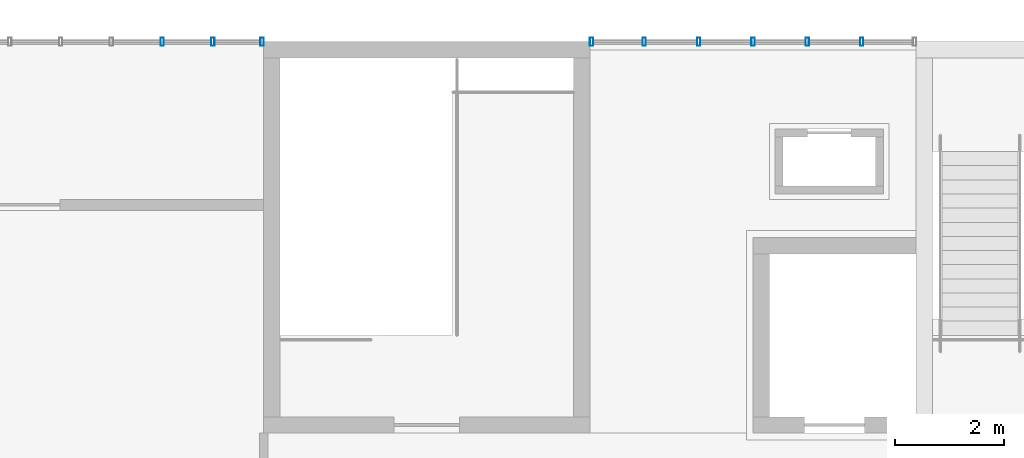
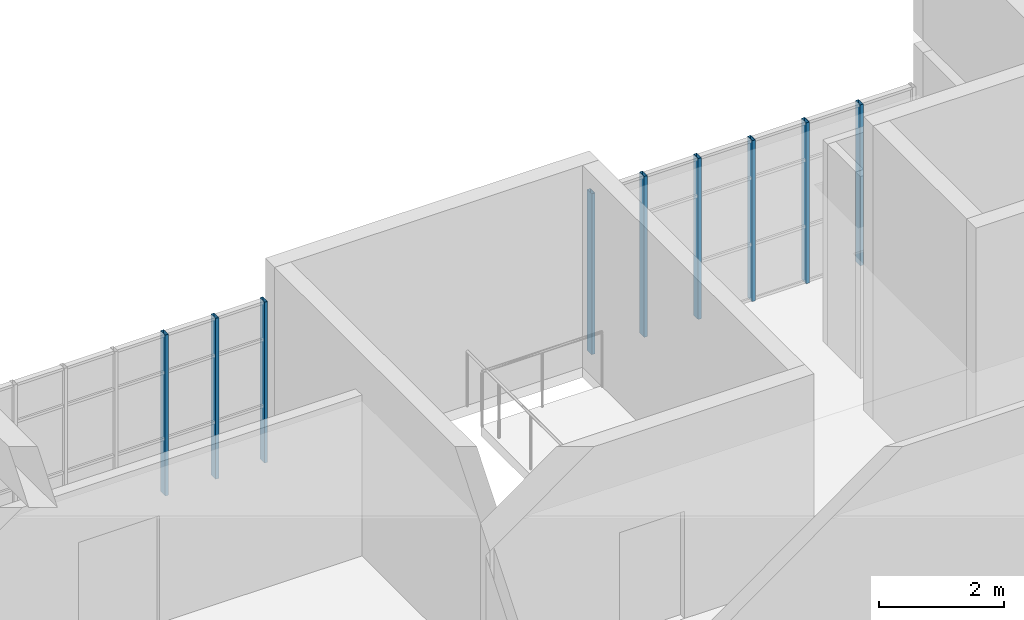
# One storey, part 25 of 51: 9 members, 2 elements without a shape of their own.
"""IFC4 building model written with IfcOpenShell, lengths in metres."""

from ifc_helpers import new_model, si_unit, direction, frame, origin, origin_2d, place, context, subcontext, project, spatial, hollow_rectangle, extrude, material, material_profile, profile_set, type_object, element, aggregate, save


model = new_model("IFC4")

# Units and contexts
model_context = context("Model", 3, precision=1e-05, world=origin(), true_north=direction((0.0, 1.0)))
body_context = subcontext(model_context, "Body", "Model", "MODEL_VIEW")
ifc_project = project(units=[si_unit("LENGTHUNIT", "METRE"), si_unit("AREAUNIT", "SQUARE_METRE"), si_unit("VOLUMEUNIT", "CUBIC_METRE"), si_unit("PLANEANGLEUNIT", "RADIAN"), si_unit("MASSUNIT", "GRAM", prefix="KILO")], contexts=[model_context])

# Site, building, storey
site_placement = place(None, origin())
site = spatial("IfcSite", under=ifc_project, at=site_placement, CompositionType="ELEMENT")
building_placement = place(site_placement, origin())
building = spatial("IfcBuilding", under=site, at=building_placement, Name="Laocheng Heights Fire and Rescue Headquarters", CompositionType="ELEMENT")
storey_placement = place(building_placement, frame((0.0, 0.0, 21.0)))
storey = spatial("IfcBuildingStorey", under=building, at=storey_placement, Name="L05", CompositionType="ELEMENT", Elevation=21.0)

# Curtain wall, members
ifc_material_1 = material(Name="Dark anodised aluminium unitised curtain wall, low-e double glazing", Category="aluminium")
curtain_wall_type_1 = type_object("IfcCurtainWallType", Name="CW 5600 x 3150 HQ NORTH GLAZING", PredefinedType="NOTDEFINED", material=ifc_material_1)
curtain_wall_1_placement = place(storey_placement, origin())
curtain_wall_1 = element("IfcCurtainWall", 1, at=curtain_wall_1_placement, inside=storey, type_object=curtain_wall_type_1, Name="X27-X HQ NORTH L05", PredefinedType="NOTDEFINED")
ifc_material_2 = material(Name="Dark anodised aluminium 6063-T5 extrusion", Category="aluminium")
ifc_material_profile = material_profile(ifc_material_2, hollow_rectangle(XDim=0.14990234375, YDim=0.06005859375, WallThickness=0.0029296875, at=origin_2d()), Name="AL MULLION 150x60x3 HQ NORTH GLAZING")
ifc_profile_set = profile_set([ifc_material_profile], Name="Dark anodised aluminium 6063-T5 extrusion")
member_type = type_object("IfcMemberType", Name="AL MULLION 150x60x3 HQ NORTH GLAZING", PredefinedType="MULLION", material=ifc_profile_set)
member_1_placement = place(storey_placement, frame((64.13330078125, 72.0, 0.0), z_axis=(0.0, 0.0, 1.0), x_axis=(0.0, 1.0, 0.0)))
member_1 = element("IfcMember", 2, at=member_1_placement, type_object=member_type, Name="X27-X mullion 5", PredefinedType="MULLION", context=body_context, shape_type="SweptSolid", body=[
    extrude(hollow_rectangle(XDim=0.14990234375, YDim=0.06005859375, WallThickness=0.0029296875, at=origin_2d()), origin(), (0.0, 0.0, 1.0), 3.14990234375),
])
member_2_placement = place(storey_placement, frame((65.066650390625, 72.0, 0.0), z_axis=(0.0, 0.0, 1.0), x_axis=(0.0, 1.0, 0.0)))
member_2 = element("IfcMember", 3, at=member_2_placement, type_object=member_type, Name="X27-X mullion 6", PredefinedType="MULLION", context=body_context, shape_type="SweptSolid", body=[
    extrude(hollow_rectangle(XDim=0.14990234375, YDim=0.06005859375, WallThickness=0.0029296875, at=origin_2d()), origin(), (0.0, 0.0, 1.0), 3.14990234375),
])
member_3_placement = place(storey_placement, frame((65.969970703125, 72.0, 0.0), z_axis=(0.0, 0.0, 1.0), x_axis=(0.0, 1.0, 0.0)))
member_3 = element("IfcMember", 4, at=member_3_placement, type_object=member_type, Name="X27-X mullion 7", PredefinedType="MULLION", context=body_context, shape_type="SweptSolid", body=[
    extrude(hollow_rectangle(XDim=0.14990234375, YDim=0.06005859375, WallThickness=0.0029296875, at=origin_2d()), origin(), (0.0, 0.0, 1.0), 3.14990234375),
])
aggregate(curtain_wall_1, [member_1, member_2, member_3])

ifc_material_3 = material(Name="Dark anodised aluminium unitised curtain wall, low-e double glazing", Category="aluminium")
curtain_wall_type_2 = type_object("IfcCurtainWallType", Name="CW 6000 x 3150 HQ NORTH GLAZING", PredefinedType="NOTDEFINED", material=ifc_material_3)
curtain_wall_2_placement = place(storey_placement, origin())
curtain_wall_2 = element("IfcCurtainWall", 5, at=curtain_wall_2_placement, inside=storey, type_object=curtain_wall_type_2, Name="X28-X HQ NORTH L05", PredefinedType="NOTDEFINED")
member_4_placement = place(storey_placement, frame((72.030029296875, 72.0, 0.0), z_axis=(0.0, 0.0, 1.0), x_axis=(0.0, 1.0, 0.0)))
member_4 = element("IfcMember", 6, at=member_4_placement, type_object=member_type, Name="X28-X mullion 1", PredefinedType="MULLION", context=body_context, shape_type="SweptSolid", body=[
    extrude(hollow_rectangle(XDim=0.14990234375, YDim=0.06005859375, WallThickness=0.0029296875, at=origin_2d()), origin(), (0.0, 0.0, 1.0), 3.14990234375),
])
member_5_placement = place(storey_placement, frame((73.0, 72.0, 0.0), z_axis=(0.0, 0.0, 1.0), x_axis=(0.0, 1.0, 0.0)))
member_5 = element("IfcMember", 7, at=member_5_placement, type_object=member_type, Name="X28-X mullion 2", PredefinedType="MULLION", context=body_context, shape_type="SweptSolid", body=[
    extrude(hollow_rectangle(XDim=0.14990234375, YDim=0.06005859375, WallThickness=0.0029296875, at=origin_2d()), origin(), (0.0, 0.0, 1.0), 3.14990234375),
])
member_6_placement = place(storey_placement, frame((74.0, 72.0, 0.0), z_axis=(0.0, 0.0, 1.0), x_axis=(0.0, 1.0, 0.0)))
member_6 = element("IfcMember", 8, at=member_6_placement, type_object=member_type, Name="X28-X mullion 3", PredefinedType="MULLION", context=body_context, shape_type="SweptSolid", body=[
    extrude(hollow_rectangle(XDim=0.14990234375, YDim=0.06005859375, WallThickness=0.0029296875, at=origin_2d()), origin(), (0.0, 0.0, 1.0), 3.14990234375),
])
member_7_placement = place(storey_placement, frame((75.0, 72.0, 0.0), z_axis=(0.0, 0.0, 1.0), x_axis=(0.0, 1.0, 0.0)))
member_7 = element("IfcMember", 9, at=member_7_placement, type_object=member_type, Name="X28-X mullion 4", PredefinedType="MULLION", context=body_context, shape_type="SweptSolid", body=[
    extrude(hollow_rectangle(XDim=0.14990234375, YDim=0.06005859375, WallThickness=0.0029296875, at=origin_2d()), origin(), (0.0, 0.0, 1.0), 3.14990234375),
])
member_8_placement = place(storey_placement, frame((76.0, 72.0, 0.0), z_axis=(0.0, 0.0, 1.0), x_axis=(0.0, 1.0, 0.0)))
member_8 = element("IfcMember", 10, at=member_8_placement, type_object=member_type, Name="X28-X mullion 5", PredefinedType="MULLION", context=body_context, shape_type="SweptSolid", body=[
    extrude(hollow_rectangle(XDim=0.14990234375, YDim=0.06005859375, WallThickness=0.0029296875, at=origin_2d()), origin(), (0.0, 0.0, 1.0), 3.14990234375),
])
member_9_placement = place(storey_placement, frame((77.0, 72.0, 0.0), z_axis=(0.0, 0.0, 1.0), x_axis=(0.0, 1.0, 0.0)))
member_9 = element("IfcMember", 11, at=member_9_placement, type_object=member_type, Name="X28-X mullion 6", PredefinedType="MULLION", context=body_context, shape_type="SweptSolid", body=[
    extrude(hollow_rectangle(XDim=0.14990234375, YDim=0.06005859375, WallThickness=0.0029296875, at=origin_2d()), origin(), (0.0, 0.0, 1.0), 3.14990234375),
])
aggregate(curtain_wall_2, [member_4, member_5, member_6, member_7, member_8, member_9])

save(model, "model.ifc")
